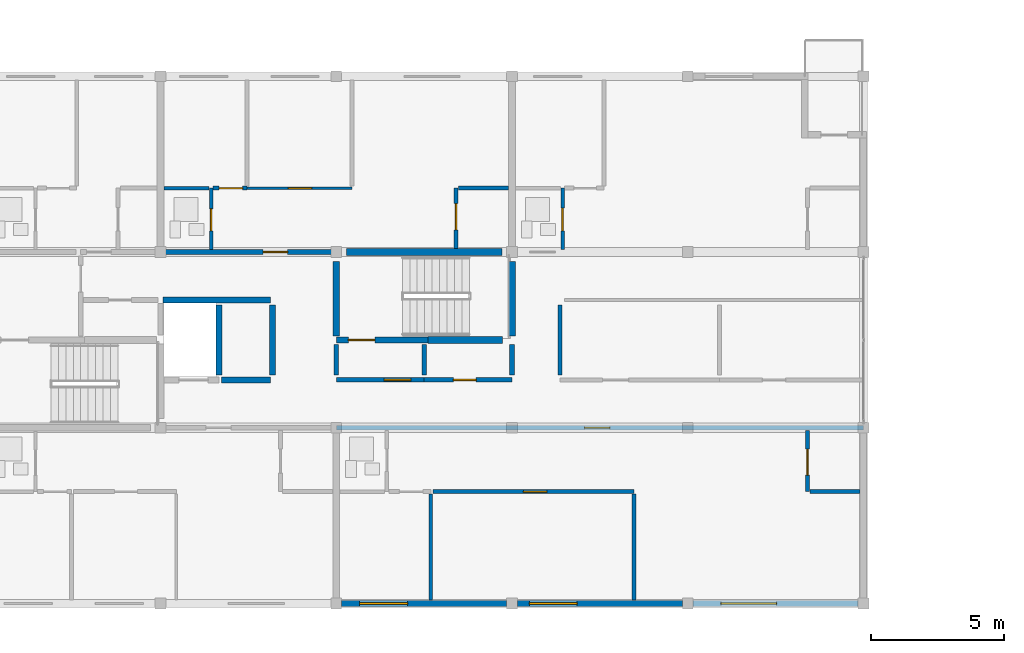
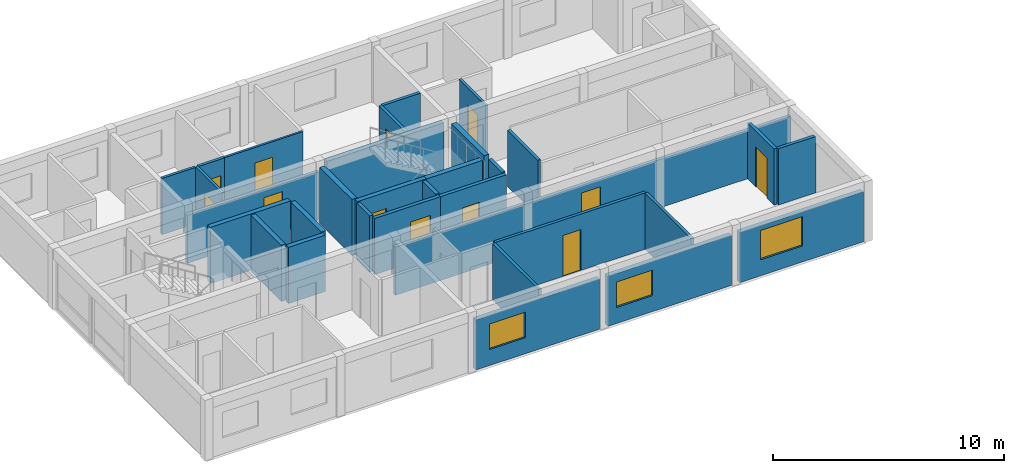
# One storey, part 14 of 23: 32 walls, 12 doors, 3 windows, 15 openings.
"""IFC4 building model written with IfcOpenShell, lengths in metres."""

import ifcopenshell
import ifcopenshell.guid

model = None  # the IFC model being written
_history = None  # IfcOwnerHistory: only IFC2X3 demands one
_inside = {}  # id of a spatial element -> (the spatial element, [elements in it])
_under = {}  # id of a project, library or spatial element -> (it, [spatial elements below it])
_declared = {}  # id of a project -> (the project, [libraries it declares])
_typed = {}  # id of a type object -> (the type object, [elements of that type])
_made_of = {}  # id of a material, layer set ... -> (it, [elements and type objects made of it])


def new_model(schema):
    """Start an empty IFC model of exactly this schema.

    Asked for "IFC4X3", IfcOpenShell would pick the latest addendum, in which some entities
    have other attributes; the version numbers below select the first issue.
    IFC2X3 requires an IfcOwnerHistory on every rooted entity: one is made here for all.
    """
    global model, _history
    if schema == "IFC4X3":
        model = ifcopenshell.file(schema_version=(4, 3, 0, 0))
    else:
        model = ifcopenshell.file(schema=schema)
    _inside.clear()
    _under.clear()
    _declared.clear()
    _typed.clear()
    _made_of.clear()
    _history = None
    if model.schema == "IFC2X3":
        org = make("IfcOrganization", Name="unknown")
        user = make(
            "IfcPersonAndOrganization",
            ThePerson=make("IfcPerson", FamilyName="unknown"),
            TheOrganization=org,
        )
        app = make(
            "IfcApplication",
            ApplicationDeveloper=org,
            Version="unknown",
            ApplicationFullName="unknown",
            ApplicationIdentifier="unknown",
        )
        _history = make(
            "IfcOwnerHistory",
            OwningUser=user,
            OwningApplication=app,
            ChangeAction="ADDED",
            CreationDate=0,
        )
    return model


def make(cls, **values):
    """One entity of the class cls with the attributes given. An attribute that is None is left unset."""
    return model.create_entity(
        cls, **{name: value for name, value in values.items() if value is not None}
    )


def rooted(cls, **values):
    """An entity with a GlobalId (a new one), such as an element, a storey or a relation."""
    return make(cls, GlobalId=ifcopenshell.guid.new(), OwnerHistory=_history, **values)


def si_unit(unit_type, name, prefix=None):
    """IfcSIUnit, for example si_unit("LENGTHUNIT", "METRE", prefix="MILLI")."""
    return make("IfcSIUnit", UnitType=unit_type, Prefix=prefix, Name=name)


def assignment(units):
    """IfcUnitAssignment: the units of a project."""
    return None if units is None else make("IfcUnitAssignment", Units=units)


def point(xyz):
    """IfcCartesianPoint."""
    return None if xyz is None else make("IfcCartesianPoint", Coordinates=xyz)


def direction(xyz):
    """IfcDirection."""
    return None if xyz is None else make("IfcDirection", DirectionRatios=xyz)


def frame(location, z_axis=None, x_axis=None):
    """IfcAxis2Placement3D, a coordinate frame: its origin and axes. An axis left out is left unset."""
    return make(
        "IfcAxis2Placement3D",
        Location=point(location),
        Axis=direction(z_axis),
        RefDirection=direction(x_axis),
    )


def frame_2d(location, x_axis=None):
    """IfcAxis2Placement2D, a coordinate frame in the plane: its origin and x axis."""
    return make(
        "IfcAxis2Placement2D", Location=point(location), RefDirection=direction(x_axis)
    )


def origin():
    """The frame at (0, 0, 0) with its axes left unset."""
    return frame((0.0, 0.0, 0.0))


def place(relative_to, where):
    """IfcLocalPlacement: puts the frame where relative to a parent placement (None: the world)."""
    return make(
        "IfcLocalPlacement", PlacementRelTo=relative_to, RelativePlacement=where
    )


def context(
    kind, dimensions, precision=None, world=None, true_north=None, identifier=None
):
    """IfcGeometricRepresentationContext, for example the 3D "Model" context."""
    return make(
        "IfcGeometricRepresentationContext",
        ContextIdentifier=identifier,
        ContextType=kind,
        CoordinateSpaceDimension=dimensions,
        Precision=precision,
        WorldCoordinateSystem=world,
        TrueNorth=true_north,
    )


def subcontext(parent, identifier, kind, view, scale=None):
    """IfcGeometricRepresentationSubContext, for example "Body" below "Model"."""
    return make(
        "IfcGeometricRepresentationSubContext",
        ContextIdentifier=identifier,
        ContextType=kind,
        ParentContext=parent,
        TargetScale=scale,
        TargetView=view,
    )


def project(units=None, contexts=None):
    """IfcProject with its units and contexts."""
    return rooted(
        "IfcProject",
        Name="project",
        RepresentationContexts=contexts,
        UnitsInContext=assignment(units),
    )


def spatial(cls, under=None, at=None, **own):
    """A site, building, storey or space (cls), placed at a placement, below another one or the project."""
    s = rooted(cls, ObjectPlacement=at, **own)
    if under is not None:
        _under.setdefault(under.id(), (under, []))[1].append(s)
    return s


def profile(cls, at=None, kind="AREA", **sizes):
    """A parametric profile (cls). Its sizes go by their IFC names, for example OverallWidth=200.0."""
    return make(cls, ProfileType=kind, Position=at, **sizes)


def rectangle(**sizes):
    """IfcRectangleProfileDef."""
    return profile("IfcRectangleProfileDef", **sizes)


def extrude(swept, where, along, depth):
    """IfcExtrudedAreaSolid: the profile swept, set in the frame where, extruded along a direction by depth."""
    return make(
        "IfcExtrudedAreaSolid",
        SweptArea=swept,
        Position=where,
        ExtrudedDirection=direction(along),
        Depth=depth,
    )


def shape(context_of_items, identifier, shape_type, items):
    """IfcShapeRepresentation: the items that make up one representation, for example the "Body"."""
    return make(
        "IfcShapeRepresentation",
        ContextOfItems=context_of_items,
        RepresentationIdentifier=identifier,
        RepresentationType=shape_type,
        Items=items,
    )


def material(Name=None, Category=None):
    """IfcMaterial."""
    return make("IfcMaterial", Name=Name, Category=Category)


def layer(
    of_material, thickness, ventilated=None, Name=None, Category=None, Priority=None
):
    """IfcMaterialLayer: one layer of a wall or slab, of a material (None: an air gap)."""
    return make(
        "IfcMaterialLayer",
        Material=of_material,
        LayerThickness=thickness,
        IsVentilated=ventilated,
        Name=Name,
        Category=Category,
        Priority=Priority,
    )


def layer_set(layers, Name=None):
    """IfcMaterialLayerSet."""
    return make("IfcMaterialLayerSet", MaterialLayers=layers, LayerSetName=Name)


def made_of(thing, what):
    """Note that an element or type object is made of a material, layer set ...; save() writes the relation."""
    if what is not None:
        _made_of.setdefault(what.id(), (what, []))[1].append(thing)
    return thing


def type_object(cls, material=None, **own):
    """A type object (cls), such as IfcWallType, which elements share."""
    return made_of(rooted(cls, **own), material)


def element(
    cls,
    number,
    at=None,
    inside=None,
    cuts=None,
    type_object=None,
    material=None,
    context=None,
    identifier="Body",
    shape_type=None,
    held_by="IfcProductDefinitionShape",
    body=None,
    shapes=None,
    **own,
):
    """One element of the class cls, such as IfcWall. Its Tag is "e" and its number.

    at: its placement. inside: the storey or other place that contains it. cuts: it is an
    opening in that element (IfcRelVoidsElement). A single representation is given by context,
    identifier, shape_type and body (its items); several are given by shapes. held_by: the class
    of the entity that holds the representations. save() writes the other relations.
    """
    e = rooted(cls, Tag="e%d" % number, ObjectPlacement=at, **own)
    if body is not None:
        shapes = [shape(context, identifier, shape_type, body)]
    if shapes is not None:
        e.Representation = make(held_by, Representations=shapes)
    if inside is not None:
        _inside.setdefault(inside.id(), (inside, []))[1].append(e)
    if cuts is not None:
        rooted(
            "IfcRelVoidsElement", RelatingBuildingElement=cuts, RelatedOpeningElement=e
        )
    if type_object is not None:
        _typed.setdefault(type_object.id(), (type_object, []))[1].append(e)
    return made_of(e, material)


def fill(opening, filler):
    """IfcRelFillsElement: the door or window that sits in an opening."""
    return rooted(
        "IfcRelFillsElement",
        RelatingOpeningElement=opening,
        RelatedBuildingElement=filler,
    )


def aggregate(whole, parts):
    """IfcRelAggregates: a whole, such as a stair, and the parts it consists of."""
    return rooted("IfcRelAggregates", RelatingObject=whole, RelatedObjects=parts)


def save(model, path):
    """Write the relations noted so far, then the file.

    IfcRelAggregates (storeys below a building ...), IfcRelContainedInSpatialStructure (elements
    in a storey), IfcRelDefinesByType, IfcRelAssociatesMaterial and IfcRelDeclares: one each for
    every whole, place, type object, material and project.
    """
    for whole, parts in _under.values():
        aggregate(whole, parts)
    for where, things in _inside.values():
        rooted(
            "IfcRelContainedInSpatialStructure",
            RelatedElements=things,
            RelatingStructure=where,
        )
    for kind, things in _typed.values():
        rooted("IfcRelDefinesByType", RelatedObjects=things, RelatingType=kind)
    for what, things in _made_of.values():
        rooted("IfcRelAssociatesMaterial", RelatedObjects=things, RelatingMaterial=what)
    for by, libraries in _declared.values():
        rooted("IfcRelDeclares", RelatingContext=by, RelatedDefinitions=libraries)
    model.write(path)


model = new_model("IFC4")

# Units and contexts
model_context = context("Model", 3, precision=1e-05, world=origin(), true_north=direction((0.0, 1.0)))
body_context = subcontext(model_context, "Body", "Model", "MODEL_VIEW")
ifc_project = project(units=[si_unit("LENGTHUNIT", "METRE"), si_unit("AREAUNIT", "SQUARE_METRE"), si_unit("VOLUMEUNIT", "CUBIC_METRE"), si_unit("PLANEANGLEUNIT", "RADIAN"), si_unit("MASSUNIT", "GRAM", prefix="KILO")], contexts=[model_context])

# Site, building, storey
site_placement = place(None, origin())
site = spatial("IfcSite", under=ifc_project, at=site_placement, CompositionType="ELEMENT")
building_placement = place(site_placement, origin())
building = spatial("IfcBuilding", under=site, at=building_placement, Name="Kernevlak Ridge Housing Community", CompositionType="ELEMENT")
storey_placement = place(building_placement, frame((0.0, 0.0, 46.800048828125)))
storey = spatial("IfcBuildingStorey", under=building, at=storey_placement, Name="L14", CompositionType="ELEMENT", Elevation=46.800048828125)

# Wall, opening, window
ifc_material_1 = material(Name="Concrete block masonry M10", Category="masonry")
ifc_layer_1 = layer(ifc_material_1, 0.239990234375, Name="Concrete block masonry M10")
ifc_layer_set_1 = layer_set([ifc_layer_1], Name="Concrete block masonry M10")
wall_type_1 = type_object("IfcWallType", Name="EW-06", PredefinedType="STANDARD", material=ifc_layer_set_1)
wall_1_placement = place(storey_placement, frame((29.0, 76.0, 0.0), z_axis=(0.0, 0.0, 1.0), x_axis=(1.0, 0.0, 0.0)))
wall_1 = element("IfcWall", 1, at=wall_1_placement, inside=storey, type_object=wall_type_1, Name="Exterior wall EW-06 L14 223", PredefinedType="STANDARD", context=body_context, shape_type="SweptSolid", body=[
    extrude(rectangle(XDim=6.199951171875, YDim=0.239990234375, at=frame_2d((3.10009765625, 0.0))), origin(), (0.0, 0.0, 1.0), 2.64990234375),
])
opening_1_placement = place(wall_1_placement, frame((0.675048828125, 0.0, 0.85009765625)))
opening_1 = element("IfcOpeningElement", 2, at=opening_1_placement, cuts=wall_1, Name="Opening WT-03", PredefinedType="OPENING", context=body_context, shape_type="SweptSolid", body=[
    extrude(rectangle(XDim=1.800048828125, YDim=1.35009765625, at=frame_2d((0.89990234375, 0.675048828125))), frame((0.0, 0.1298828125, 0.0), z_axis=(0.0, -1.0, 0.0), x_axis=(1.0, 0.0, 0.0)), (0.0, 0.0, 1.0), 0.260009765625),
])
ifc_material_2 = material(Name="Aluminium EN AW-6060 anodised and laminated glass", Category="aluminium")
window_type_1 = type_object("IfcWindowType", Name="WT-03", PartitioningType="SINGLE_PANEL", PredefinedType="WINDOW", material=ifc_material_2)
window_1_placement = place(opening_1_placement, origin())
window_1 = element("IfcWindow", 3, at=window_1_placement, inside=storey, type_object=window_type_1, Name="Window WT-03 L14 177", OverallHeight=1.35009765625, OverallWidth=1.800048828125, PartitioningType="SINGLE_PANEL", PredefinedType="WINDOW", context=body_context, shape_type="SweptSolid", body=[
    extrude(rectangle(XDim=1.800048828125, YDim=1.35009765625, at=frame_2d((0.89990234375, 0.675048828125))), frame((0.0, 0.030029296875, 0.0), z_axis=(0.0, -1.0, 0.0), x_axis=(1.0, 0.0, 0.0)), (0.0, 0.0, 1.0), 0.06005859375),
])
fill(opening_1, window_1)

wall_2_placement = place(storey_placement, frame((35.60009765625, 76.0, 0.0), z_axis=(0.0, 0.0, 1.0), x_axis=(1.0, 0.0, 0.0)))
wall_2 = element("IfcWall", 4, at=wall_2_placement, inside=storey, type_object=wall_type_1, Name="Exterior wall EW-06 L14 224", PredefinedType="STANDARD", context=body_context, shape_type="SweptSolid", body=[
    extrude(rectangle(XDim=6.199951171875, YDim=0.239990234375, at=frame_2d((3.10009765625, 0.0))), origin(), (0.0, 0.0, 1.0), 2.64990234375),
])
opening_2_placement = place(wall_2_placement, frame((0.449951171875, 0.0, 0.85009765625)))
opening_2 = element("IfcOpeningElement", 5, at=opening_2_placement, cuts=wall_2, Name="Opening WT-03", PredefinedType="OPENING", context=body_context, shape_type="SweptSolid", body=[
    extrude(rectangle(XDim=1.800048828125, YDim=1.35009765625, at=frame_2d((0.89990234375, 0.675048828125))), frame((0.0, 0.1298828125, 0.0), z_axis=(0.0, -1.0, 0.0), x_axis=(1.0, 0.0, 0.0)), (0.0, 0.0, 1.0), 0.260009765625),
])
window_2_placement = place(opening_2_placement, origin())
window_2 = element("IfcWindow", 6, at=window_2_placement, inside=storey, type_object=window_type_1, Name="Window WT-03 L14 178", OverallHeight=1.35009765625, OverallWidth=1.800048828125, PartitioningType="SINGLE_PANEL", PredefinedType="WINDOW", context=body_context, shape_type="SweptSolid", body=[
    extrude(rectangle(XDim=1.800048828125, YDim=1.35009765625, at=frame_2d((0.89990234375, 0.675048828125))), frame((0.0, 0.030029296875, 0.0), z_axis=(0.0, -1.0, 0.0), x_axis=(1.0, 0.0, 0.0)), (0.0, 0.0, 1.0), 0.06005859375),
])
fill(opening_2, window_2)

wall_3_placement = place(storey_placement, frame((42.199951171875, 76.0, 0.0), z_axis=(0.0, 0.0, 1.0), x_axis=(1.0, 0.0, 0.0)))
wall_3 = element("IfcWall", 7, at=wall_3_placement, inside=storey, type_object=wall_type_1, Name="Exterior wall EW-06 L14 225", PredefinedType="STANDARD", context=body_context, shape_type="SweptSolid", body=[
    extrude(rectangle(XDim=6.199951171875, YDim=0.239990234375, at=frame_2d((3.10009765625, 0.0))), origin(), (0.0, 0.0, 1.0), 2.64990234375),
])
opening_3_placement = place(wall_3_placement, frame((1.0439453125, 0.0, 0.85009765625)))
opening_3 = element("IfcOpeningElement", 8, at=opening_3_placement, cuts=wall_3, Name="Opening WT-05", PredefinedType="OPENING", context=body_context, shape_type="SweptSolid", body=[
    extrude(rectangle(XDim=2.10009765625, YDim=1.550048828125, at=frame_2d((1.050048828125, 0.77490234375))), frame((0.0, 0.1298828125, 0.0), z_axis=(0.0, -1.0, 0.0), x_axis=(1.0, 0.0, 0.0)), (0.0, 0.0, 1.0), 0.260009765625),
])
window_type_2 = type_object("IfcWindowType", Name="WT-05", PartitioningType="SINGLE_PANEL", PredefinedType="WINDOW", material=ifc_material_2)
window_3_placement = place(opening_3_placement, origin())
window_3 = element("IfcWindow", 9, at=window_3_placement, inside=storey, type_object=window_type_2, Name="Window WT-05 L14 179", OverallHeight=1.550048828125, OverallWidth=2.10009765625, PartitioningType="SINGLE_PANEL", PredefinedType="WINDOW", context=body_context, shape_type="SweptSolid", body=[
    extrude(rectangle(XDim=2.10009765625, YDim=1.550048828125, at=frame_2d((1.050048828125, 0.77490234375))), frame((0.0, 0.030029296875, 0.0), z_axis=(0.0, -1.0, 0.0), x_axis=(1.0, 0.0, 0.0)), (0.0, 0.0, 1.0), 0.06005859375),
])
fill(opening_3, window_3)

# Walls
ifc_material_3 = material(Name="Concrete C35/45", Category="concrete")
ifc_layer_2 = layer(ifc_material_3, 0.22509765625, Name="Concrete C35/45")
ifc_layer_set_2 = layer_set([ifc_layer_2], Name="Concrete C35/45")
wall_type_2 = type_object("IfcWallType", Name="PW-01", PredefinedType="STANDARD", material=ifc_layer_set_2)
wall_4_placement = place(storey_placement, frame((24.47998046875, 84.39990234375, 0.0), z_axis=(0.0, 0.0, 1.0), x_axis=(1.0, 0.0, 0.0)))
element("IfcWall", 10, at=wall_4_placement, inside=storey, type_object=wall_type_2, Name="Interior wall PW-01 WAL-INT-L14-0887", PredefinedType="STANDARD", context=body_context, shape_type="SweptSolid", body=[
    extrude(rectangle(XDim=1.840087890625, YDim=0.22509765625, at=frame_2d((0.919921875, 0.0))), origin(), (0.0, 0.0, 1.0), 2.97998046875),
])
wall_5_placement = place(storey_placement, frame((22.297607421875, 87.39990234375, 0.0), z_axis=(0.0, 0.0, 1.0), x_axis=(1.0, 0.0, 0.0)))
element("IfcWall", 11, at=wall_5_placement, inside=storey, type_object=wall_type_2, Name="Interior wall PW-01 WAL-INT-L14-0888", PredefinedType="STANDARD", context=body_context, shape_type="SweptSolid", body=[
    extrude(rectangle(XDim=4.0224609375, YDim=0.22509765625, at=frame_2d((2.01123046875, 0.0))), origin(), (0.0, 0.0, 1.0), 2.97998046875),
])
for number, where, z_axis, x_axis, name in (
    (12, (24.39990234375, 84.580078125, 0.0), (0.0, 0.0, 1.0), (0.0, 1.0, 0.0), "Interior wall PW-01 WAL-INT-L14-0890"),
    (13, (26.39990234375, 84.580078125, 0.0), (0.0, 0.0, 1.0), (0.0, 1.0, 0.0), "Interior wall PW-01 WAL-INT-L14-0891"),
):
    element("IfcWall", number, at=place(storey_placement, frame(where, z_axis=z_axis, x_axis=x_axis)), inside=storey, type_object=wall_type_2, Name=name, PredefinedType="STANDARD", context=body_context, shape_type="SweptSolid", body=[
        extrude(rectangle(XDim=2.639892578125, YDim=0.22509765625, at=frame_2d((1.31982421875, 0.0))), origin(), (0.0, 0.0, 1.0), 2.97998046875),
    ])

# Wall, opening, door
wall_6_placement = place(storey_placement, frame((28.800048828125, 85.89990234375, 0.0), z_axis=(0.0, 0.0, 1.0), x_axis=(1.0, 0.0, 0.0)))
wall_6 = element("IfcWall", 14, at=wall_6_placement, inside=storey, type_object=wall_type_2, Name="Interior wall PW-01 WAL-INT-L14-0892", PredefinedType="STANDARD", context=body_context, shape_type="SweptSolid", body=[
    extrude(rectangle(XDim=3.449951171875, YDim=0.22509765625, at=frame_2d((1.72509765625, 0.0))), origin(), (0.0, 0.0, 1.0), 2.97998046875),
])
opening_4_placement = place(wall_6_placement, frame((0.449951171875, 0.0, 0.0)))
opening_4 = element("IfcOpeningElement", 15, at=opening_4_placement, cuts=wall_6, Name="Opening D450", PredefinedType="OPENING", context=body_context, shape_type="SweptSolid", body=[
    extrude(rectangle(XDim=1.0, YDim=2.10009765625, at=frame_2d((0.5, 1.050048828125))), frame((0.0, 0.12255859375, 0.0), z_axis=(0.0, -1.0, 0.0), x_axis=(1.0, 0.0, 0.0)), (0.0, 0.0, 1.0), 0.2451171875),
])
ifc_material_4 = material(Name="Fire-rated sheet steel leaf", Category="steel")
door_type_1 = type_object("IfcDoorType", Name="DT-05", OperationType="NOTDEFINED", PredefinedType="DOOR", material=ifc_material_4)
door_1_placement = place(opening_4_placement, origin())
door_1 = element("IfcDoor", 16, at=door_1_placement, inside=storey, type_object=door_type_1, Name="Block A Stair 2 fire door D450", OperationType="SINGLE_SWING_RIGHT", OverallHeight=2.10009765625, OverallWidth=1.0, PredefinedType="DOOR", context=body_context, shape_type="SweptSolid", body=[
    extrude(rectangle(XDim=1.0, YDim=2.10009765625, at=frame_2d((0.5, 1.050048828125))), frame((0.0, 0.02490234375, 0.0), z_axis=(0.0, -1.0, 0.0), x_axis=(1.0, 0.0, 0.0)), (0.0, 0.0, 1.0), 0.050048828125),
])
fill(opening_4, door_1)

ifc_layer_3 = layer(ifc_material_1, 0.175048828125, Name="Concrete block masonry M10")
ifc_layer_set_3 = layer_set([ifc_layer_3], Name="Concrete block masonry M10")
wall_type_3 = type_object("IfcWallType", Name="PW-02", PredefinedType="PARTITIONING", material=ifc_layer_set_3)
wall_7_placement = place(storey_placement, frame((28.800048828125, 84.39990234375, 0.0), z_axis=(0.0, 0.0, 1.0), x_axis=(1.0, 0.0, 0.0)))
wall_7 = element("IfcWall", 17, at=wall_7_placement, inside=storey, type_object=wall_type_3, Name="Interior wall PW-02 WAL-INT-L14-0893", PredefinedType="PARTITIONING", context=body_context, shape_type="SweptSolid", body=[
    extrude(rectangle(XDim=3.300048828125, YDim=0.175048828125, at=frame_2d((1.64990234375, 0.0))), origin(), (0.0, 0.0, 1.0), 2.97998046875),
])
opening_5_placement = place(wall_7_placement, frame((1.800048828125, 0.0, 0.0)))
opening_5 = element("IfcOpeningElement", 18, at=opening_5_placement, cuts=wall_7, Name="Opening D451", PredefinedType="OPENING", context=body_context, shape_type="SweptSolid", body=[
    extrude(rectangle(XDim=1.0, YDim=2.159912109375, at=frame_2d((0.5, 1.080078125))), frame((0.0, 0.097412109375, 0.0), z_axis=(0.0, -1.0, 0.0), x_axis=(1.0, 0.0, 0.0)), (0.0, 0.0, 1.0), 0.195068359375),
])
door_type_2 = type_object("IfcDoorType", Name="DT-15", OperationType="NOTDEFINED", PredefinedType="DOOR", material=ifc_material_4)
door_2_placement = place(opening_5_placement, origin())
door_2 = element("IfcDoor", 19, at=door_2_placement, inside=storey, type_object=door_type_2, Name="Block A Firefighting lobby 2 door D451", OperationType="SINGLE_SWING_LEFT", OverallHeight=2.159912109375, OverallWidth=1.0, PredefinedType="DOOR", context=body_context, shape_type="SweptSolid", body=[
    extrude(rectangle(XDim=1.0, YDim=2.159912109375, at=frame_2d((0.5, 1.080078125))), frame((0.0, 0.02490234375, 0.0), z_axis=(0.0, -1.0, 0.0), x_axis=(1.0, 0.0, 0.0)), (0.0, 0.0, 1.0), 0.050048828125),
])
fill(opening_5, door_2)

wall_8_placement = place(storey_placement, frame((32.10009765625, 84.39990234375, 0.0), z_axis=(0.0, 0.0, 1.0), x_axis=(1.0, 0.0, 0.0)))
wall_8 = element("IfcWall", 20, at=wall_8_placement, inside=storey, type_object=wall_type_3, Name="Interior wall PW-02 WAL-INT-L14-0894", PredefinedType="PARTITIONING", context=body_context, shape_type="SweptSolid", body=[
    extrude(rectangle(XDim=3.2998046875, YDim=0.175048828125, at=frame_2d((1.64990234375, 0.0))), origin(), (0.0, 0.0, 1.0), 2.97998046875),
])
opening_6_placement = place(wall_8_placement, frame((1.10009765625, 0.0, 0.0)))
opening_6 = element("IfcOpeningElement", 21, at=opening_6_placement, cuts=wall_8, Name="Opening D452", PredefinedType="OPENING", context=body_context, shape_type="SweptSolid", body=[
    extrude(rectangle(XDim=0.85009765625, YDim=2.0, at=frame_2d((0.425048828125, 1.0))), frame((0.0, 0.097412109375, 0.0), z_axis=(0.0, -1.0, 0.0), x_axis=(1.0, 0.0, 0.0)), (0.0, 0.0, 1.0), 0.195068359375),
])
door_type_3 = type_object("IfcDoorType", Name="DT-07", OperationType="NOTDEFINED", PredefinedType="DOOR", material=ifc_material_4)
door_3_placement = place(opening_6_placement, origin())
door_3 = element("IfcDoor", 22, at=door_3_placement, inside=storey, type_object=door_type_3, Name="Block A Cleaner store door D452", OperationType="SINGLE_SWING_RIGHT", OverallHeight=2.0, OverallWidth=0.85009765625, PredefinedType="DOOR", context=body_context, shape_type="SweptSolid", body=[
    extrude(rectangle(XDim=0.85009765625, YDim=2.0, at=frame_2d((0.425048828125, 1.0))), frame((0.0, 0.02490234375, 0.0), z_axis=(0.0, -1.0, 0.0), x_axis=(1.0, 0.0, 0.0)), (0.0, 0.0, 1.0), 0.050048828125),
])
fill(opening_6, door_3)

# Walls
for number, where, z_axis, x_axis, name in (
    (23, (28.800048828125, 84.580078125, 0.0), (0.0, 0.0, 1.0), (0.0, 1.0, 0.0), "Interior wall PW-02 WAL-INT-L14-0895"),
    (24, (32.10009765625, 84.580078125, 0.0), (0.0, 0.0, 1.0), (0.0, 1.0, 0.0), "Interior wall PW-02 WAL-INT-L14-0896"),
    (25, (35.39990234375, 84.580078125, 0.0), (0.0, 0.0, 1.0), (0.0, 1.0, 0.0), "Interior wall PW-02 WAL-INT-L14-0897"),
):
    element("IfcWall", number, at=place(storey_placement, frame(where, z_axis=z_axis, x_axis=x_axis)), inside=storey, type_object=wall_type_3, Name=name, PredefinedType="PARTITIONING", context=body_context, shape_type="SweptSolid", body=[
        extrude(rectangle(XDim=1.139892578125, YDim=0.175048828125, at=frame_2d((0.56982421875, 0.0))), origin(), (0.0, 0.0, 1.0), 2.97998046875),
    ])

# Wall, opening, door
wall_9_placement = place(storey_placement, frame((28.800048828125, 82.60009765625, 0.0), z_axis=(0.0, 0.0, 1.0), x_axis=(1.0, 0.0, 0.0)))
wall_9 = element("IfcWall", 26, at=wall_9_placement, inside=storey, type_object=wall_type_3, Name="Interior wall PW-02 WAL-INT-L14-0912", PredefinedType="PARTITIONING", context=body_context, shape_type="SweptSolid", body=[
    extrude(rectangle(XDim=19.800048828125, YDim=0.175048828125, at=frame_2d((9.89990234375, 0.0))), origin(), (0.0, 0.0, 1.0), 2.550048828125),
])
opening_7_placement = place(wall_9_placement, frame((9.324951171875, 0.0, 0.0)))
opening_7 = element("IfcOpeningElement", 27, at=opening_7_placement, cuts=wall_9, Name="Opening D460", PredefinedType="OPENING", context=body_context, shape_type="SweptSolid", body=[
    extrude(rectangle(XDim=0.949951171875, YDim=2.159912109375, at=frame_2d((0.47509765625, 1.080078125))), frame((0.0, 0.097412109375, 0.0), z_axis=(0.0, -1.0, 0.0), x_axis=(1.0, 0.0, 0.0)), (0.0, 0.0, 1.0), 0.195068359375),
])
ifc_material_5 = material(Name="Hardwood timber solid-core fire leaf", Category="wood")
door_type_4 = type_object("IfcDoorType", Name="DT-02", OperationType="NOTDEFINED", PredefinedType="DOOR", material=ifc_material_5)
door_4_placement = place(opening_7_placement, origin())
door_4 = element("IfcDoor", 28, at=door_4_placement, inside=storey, type_object=door_type_4, Name="Flat A1412 entrance fire door D460", OperationType="SINGLE_SWING_RIGHT", OverallHeight=2.159912109375, OverallWidth=0.949951171875, PredefinedType="DOOR", context=body_context, shape_type="SweptSolid", body=[
    extrude(rectangle(XDim=0.949951171875, YDim=2.159912109375, at=frame_2d((0.47509765625, 1.080078125))), frame((0.0, 0.02490234375, 0.0), z_axis=(0.0, -1.0, 0.0), x_axis=(1.0, 0.0, 0.0)), (0.0, 0.0, 1.0), 0.050048828125),
])
fill(opening_7, door_4)

wall_10_placement = place(storey_placement, frame((22.199951171875, 89.199951171875, 0.0), z_axis=(0.0, 0.0, 1.0), x_axis=(1.0, 0.0, 0.0)))
wall_10 = element("IfcWall", 29, at=wall_10_placement, inside=storey, type_object=wall_type_3, Name="Interior wall PW-02 WAL-INT-L14-0929", PredefinedType="PARTITIONING", context=body_context, shape_type="SweptSolid", body=[
    extrude(rectangle(XDim=6.60009765625, YDim=0.175048828125, at=frame_2d((3.300048828125, 0.0))), origin(), (0.0, 0.0, 1.0), 2.550048828125),
])
opening_8_placement = place(wall_10_placement, frame((3.85009765625, 0.0, 0.0)))
opening_8 = element("IfcOpeningElement", 30, at=opening_8_placement, cuts=wall_10, Name="Opening D469", PredefinedType="OPENING", context=body_context, shape_type="SweptSolid", body=[
    extrude(rectangle(XDim=0.919921875, YDim=2.139892578125, at=frame_2d((0.4599609375, 1.06982421875))), frame((0.0, 0.097412109375, 0.0), z_axis=(0.0, -1.0, 0.0), x_axis=(1.0, 0.0, 0.0)), (0.0, 0.0, 1.0), 0.195068359375),
])
door_type_5 = type_object("IfcDoorType", Name="DT-20", OperationType="NOTDEFINED", PredefinedType="DOOR", material=ifc_material_5)
door_5_placement = place(opening_8_placement, origin())
door_5 = element("IfcDoor", 31, at=door_5_placement, inside=storey, type_object=door_type_5, Name="Flat A1422 entrance fire door D469", OperationType="SINGLE_SWING_LEFT", OverallHeight=2.139892578125, OverallWidth=0.919921875, PredefinedType="DOOR", context=body_context, shape_type="SweptSolid", body=[
    extrude(rectangle(XDim=0.919921875, YDim=2.139892578125, at=frame_2d((0.4599609375, 1.06982421875))), frame((0.0, 0.02490234375, 0.0), z_axis=(0.0, -1.0, 0.0), x_axis=(1.0, 0.0, 0.0)), (0.0, 0.0, 1.0), 0.050048828125),
])
fill(opening_8, door_5)

# Walls
ifc_layer_4 = layer(ifc_material_1, 0.14501953125, Name="Concrete block masonry M10")
ifc_layer_set_4 = layer_set([ifc_layer_4], Name="Concrete block masonry M10")
wall_type_4 = type_object("IfcWallType", Name="PW-03", PredefinedType="PARTITIONING", material=ifc_layer_set_4)
wall_11_placement = place(storey_placement, frame((37.199951171875, 84.580078125, 0.0), z_axis=(0.0, 0.0, 1.0), x_axis=(0.0, 1.0, 0.0)))
element("IfcWall", 32, at=wall_11_placement, inside=storey, type_object=wall_type_4, Name="Interior wall PW-03 WAL-INT-L14-0902", PredefinedType="PARTITIONING", context=body_context, shape_type="SweptSolid", body=[
    extrude(rectangle(XDim=2.639892578125, YDim=0.14501953125, at=frame_2d((1.31982421875, 0.0))), origin(), (0.0, 0.0, 1.0), 2.97998046875),
])
wall_12_placement = place(storey_placement, frame((32.35009765625, 80.117431640625, 0.0), z_axis=(0.0, 0.0, 1.0), x_axis=(0.0, -1.0, 0.0)))
element("IfcWall", 33, at=wall_12_placement, inside=storey, type_object=wall_type_4, Name="Interior wall PW-03 WAL-INT-L14-0918", PredefinedType="PARTITIONING", context=body_context, shape_type="SweptSolid", body=[
    extrude(rectangle(XDim=3.987548828125, YDim=0.14501953125, at=frame_2d((1.99365234375, 0.0))), origin(), (0.0, 0.0, 1.0), 2.97998046875),
])

# Wall, opening, door
wall_13_placement = place(storey_placement, frame((32.4326171875, 80.199951171875, 0.0), z_axis=(0.0, 0.0, 1.0), x_axis=(1.0, 0.0, 0.0)))
wall_13 = element("IfcWall", 34, at=wall_13_placement, inside=storey, type_object=wall_type_4, Name="Interior wall PW-03 WAL-INT-L14-0919", PredefinedType="PARTITIONING", context=body_context, shape_type="SweptSolid", body=[
    extrude(rectangle(XDim=7.555419921875, YDim=0.14501953125, at=frame_2d((3.77783203125, 0.0))), origin(), (0.0, 0.0, 1.0), 2.97998046875),
])
opening_9_placement = place(wall_13_placement, frame((3.39404296875, 0.0, 0.0)))
opening_9 = element("IfcOpeningElement", 35, at=opening_9_placement, cuts=wall_13, Name="Opening D464", PredefinedType="OPENING", context=body_context, shape_type="SweptSolid", body=[
    extrude(rectangle(XDim=0.8798828125, YDim=2.159912109375, at=frame_2d((0.43994140625, 1.080078125))), frame((0.0, 0.08251953125, 0.0), z_axis=(0.0, -1.0, 0.0), x_axis=(1.0, 0.0, 0.0)), (0.0, 0.0, 1.0), 0.1650390625),
])
ifc_material_6 = material(Name="Hardwood timber leaf", Category="wood")
door_type_6 = type_object("IfcDoorType", Name="DT-26", OperationType="NOTDEFINED", PredefinedType="DOOR", material=ifc_material_6)
door_6_placement = place(opening_9_placement, origin())
door_6 = element("IfcDoor", 36, at=door_6_placement, inside=storey, type_object=door_type_6, Name="Flat A1412 bedroom door D464", OperationType="SINGLE_SWING_RIGHT", OverallHeight=2.159912109375, OverallWidth=0.8798828125, PredefinedType="DOOR", context=body_context, shape_type="SweptSolid", body=[
    extrude(rectangle(XDim=0.8798828125, YDim=2.159912109375, at=frame_2d((0.43994140625, 1.080078125))), frame((0.0, 0.02490234375, 0.0), z_axis=(0.0, -1.0, 0.0), x_axis=(1.0, 0.0, 0.0)), (0.0, 0.0, 1.0), 0.050048828125),
])
fill(opening_9, door_6)

# Wall
wall_14_placement = place(storey_placement, frame((39.988037109375, 80.117431640625, 0.0), z_axis=(0.0, 0.0, 1.0), x_axis=(0.0, -1.0, 0.0)))
element("IfcWall", 37, at=wall_14_placement, inside=storey, type_object=wall_type_4, Name="Interior wall PW-03 WAL-INT-L14-0920", PredefinedType="PARTITIONING", context=body_context, shape_type="SweptSolid", body=[
    extrude(rectangle(XDim=3.987548828125, YDim=0.14501953125, at=frame_2d((1.99365234375, 0.0))), origin(), (0.0, 0.0, 1.0), 2.97998046875),
])

# Wall, opening, door
wall_15_placement = place(storey_placement, frame((24.172607421875, 91.60009765625, 0.0), z_axis=(0.0, 0.0, 1.0), x_axis=(1.0, 0.0, 0.0)))
wall_15 = element("IfcWall", 38, at=wall_15_placement, inside=storey, type_object=wall_type_4, Name="Interior wall PW-03 WAL-INT-L14-0934", PredefinedType="PARTITIONING", context=body_context, shape_type="SweptSolid", body=[
    extrude(rectangle(XDim=1.27734375, YDim=0.14501953125, at=frame_2d((0.638671875, 0.0))), origin(), (0.0, 0.0, 1.0), 2.97998046875),
])
opening_10_placement = place(wall_15_placement, frame((0.2275390625, 0.0, 0.0)))
opening_10 = element("IfcOpeningElement", 39, at=opening_10_placement, cuts=wall_15, Name="Opening D472", PredefinedType="OPENING", context=body_context, shape_type="SweptSolid", body=[
    extrude(rectangle(XDim=0.8798828125, YDim=2.10009765625, at=frame_2d((0.43994140625, 1.050048828125))), frame((0.0, 0.08251953125, 0.0), z_axis=(0.0, -1.0, 0.0), x_axis=(1.0, 0.0, 0.0)), (0.0, 0.0, 1.0), 0.1650390625),
])
door_type_7 = type_object("IfcDoorType", Name="DT-25", OperationType="NOTDEFINED", PredefinedType="DOOR", material=ifc_material_6)
door_7_placement = place(opening_10_placement, origin())
door_7 = element("IfcDoor", 40, at=door_7_placement, inside=storey, type_object=door_type_7, Name="Flat A1422 bedroom door D472", OperationType="SINGLE_SWING_RIGHT", OverallHeight=2.10009765625, OverallWidth=0.8798828125, PredefinedType="DOOR", context=body_context, shape_type="SweptSolid", body=[
    extrude(rectangle(XDim=0.8798828125, YDim=2.10009765625, at=frame_2d((0.43994140625, 1.050048828125))), frame((0.0, 0.02490234375, 0.0), z_axis=(0.0, -1.0, 0.0), x_axis=(1.0, 0.0, 0.0)), (0.0, 0.0, 1.0), 0.050048828125),
])
fill(opening_10, door_7)

ifc_material_7 = material(Name="Gypsum plasterboard EN 520", Category="gypsum")
ifc_layer_5 = layer(ifc_material_7, 0.125, Name="Gypsum plasterboard EN 520")
ifc_layer_set_5 = layer_set([ifc_layer_5], Name="Gypsum plasterboard EN 520")
wall_type_5 = type_object("IfcWallType", Name="PW-04", PredefinedType="PARTITIONING", material=ifc_layer_set_5)
wall_16_placement = place(storey_placement, frame((24.10009765625, 89.297607421875, 0.0), z_axis=(0.0, 0.0, 1.0), x_axis=(0.0, 1.0, 0.0)))
wall_16 = element("IfcWall", 41, at=wall_16_placement, inside=storey, type_object=wall_type_5, Name="Interior wall PW-04 WAL-INT-L14-0930", PredefinedType="PARTITIONING", context=body_context, shape_type="SweptSolid", body=[
    extrude(rectangle(XDim=2.302490234375, YDim=0.125, at=frame_2d((1.1513671875, 0.0))), origin(), (0.0, 0.0, 1.0), 2.97998046875),
])
opening_11_placement = place(wall_16_placement, frame((0.699951171875, 0.0, 0.0)))
opening_11 = element("IfcOpeningElement", 42, at=opening_11_placement, cuts=wall_16, Name="Opening D470", PredefinedType="OPENING", context=body_context, shape_type="SweptSolid", body=[
    extrude(rectangle(XDim=0.820068359375, YDim=2.050048828125, at=frame_2d((0.41015625, 1.02490234375))), frame((0.0, 0.072509765625, 0.0), z_axis=(0.0, -1.0, 0.0), x_axis=(1.0, 0.0, 0.0)), (0.0, 0.0, 1.0), 0.14501953125),
])
ifc_material_8 = material(Name="Hardwood timber moisture-resistant leaf", Category="wood")
door_type_8 = type_object("IfcDoorType", Name="DT-30", OperationType="NOTDEFINED", PredefinedType="DOOR", material=ifc_material_8)
door_8_placement = place(opening_11_placement, origin())
door_8 = element("IfcDoor", 43, at=door_8_placement, inside=storey, type_object=door_type_8, Name="Flat A1422 bathroom door D470", OperationType="SINGLE_SWING_RIGHT", OverallHeight=2.050048828125, OverallWidth=0.820068359375, PredefinedType="DOOR", context=body_context, shape_type="SweptSolid", body=[
    extrude(rectangle(XDim=0.820068359375, YDim=2.050048828125, at=frame_2d((0.41015625, 1.02490234375))), frame((0.0, 0.02490234375, 0.0), z_axis=(0.0, -1.0, 0.0), x_axis=(1.0, 0.0, 0.0)), (0.0, 0.0, 1.0), 0.050048828125),
])
fill(opening_11, door_8)

# Wall
wall_17_placement = place(storey_placement, frame((22.3349609375, 91.60009765625, 0.0), z_axis=(0.0, 0.0, 1.0), x_axis=(1.0, 0.0, 0.0)))
element("IfcWall", 44, at=wall_17_placement, inside=storey, type_object=wall_type_5, Name="Interior wall PW-04 WAL-INT-L14-0931", PredefinedType="PARTITIONING", context=body_context, shape_type="SweptSolid", body=[
    extrude(rectangle(XDim=1.68505859375, YDim=0.125, at=frame_2d((0.842529296875, 0.0))), origin(), (0.0, 0.0, 1.0), 2.97998046875),
])

# Wall, opening, door
wall_18_placement = place(storey_placement, frame((37.300048828125, 89.297607421875, 0.0), z_axis=(0.0, 0.0, 1.0), x_axis=(0.0, 1.0, 0.0)))
wall_18 = element("IfcWall", 45, at=wall_18_placement, inside=storey, type_object=wall_type_5, Name="Interior wall PW-04 WAL-INT-L14-0939", PredefinedType="PARTITIONING", context=body_context, shape_type="SweptSolid", body=[
    extrude(rectangle(XDim=2.302490234375, YDim=0.125, at=frame_2d((1.1513671875, 0.0))), origin(), (0.0, 0.0, 1.0), 2.97998046875),
])
opening_12_placement = place(wall_18_placement, frame((0.699951171875, 0.0, 0.0)))
opening_12 = element("IfcOpeningElement", 46, at=opening_12_placement, cuts=wall_18, Name="Opening D475", PredefinedType="OPENING", context=body_context, shape_type="SweptSolid", body=[
    extrude(rectangle(XDim=0.85009765625, YDim=2.0400390625, at=frame_2d((0.425048828125, 1.02001953125))), frame((0.0, 0.072509765625, 0.0), z_axis=(0.0, -1.0, 0.0), x_axis=(1.0, 0.0, 0.0)), (0.0, 0.0, 1.0), 0.14501953125),
])
door_type_9 = type_object("IfcDoorType", Name="DT-04", OperationType="NOTDEFINED", PredefinedType="DOOR", material=ifc_material_8)
door_9_placement = place(opening_12_placement, origin())
door_9 = element("IfcDoor", 47, at=door_9_placement, inside=storey, type_object=door_type_9, Name="Flat A1423 bathroom door D475", OperationType="SINGLE_SWING_LEFT", OverallHeight=2.0400390625, OverallWidth=0.85009765625, PredefinedType="DOOR", context=body_context, shape_type="SweptSolid", body=[
    extrude(rectangle(XDim=0.85009765625, YDim=2.0400390625, at=frame_2d((0.425048828125, 1.02001953125))), frame((0.0, 0.02490234375, 0.0), z_axis=(0.0, -1.0, 0.0), x_axis=(1.0, 0.0, 0.0)), (0.0, 0.0, 1.0), 0.050048828125),
])
fill(opening_12, door_9)

ifc_layer_6 = layer(ifc_material_7, 0.155029296875, Name="Gypsum plasterboard EN 520")
ifc_layer_set_6 = layer_set([ifc_layer_6], Name="Gypsum plasterboard EN 520")
wall_type_6 = type_object("IfcWallType", Name="PW-05", PredefinedType="PARTITIONING", material=ifc_layer_set_6)
wall_19_placement = place(storey_placement, frame((46.5, 82.50244140625, 0.0), z_axis=(0.0, 0.0, 1.0), x_axis=(0.0, -1.0, 0.0)))
wall_19 = element("IfcWall", 48, at=wall_19_placement, inside=storey, type_object=wall_type_6, Name="Interior wall PW-05 WAL-INT-L14-0915", PredefinedType="PARTITIONING", context=body_context, shape_type="SweptSolid", body=[
    extrude(rectangle(XDim=2.302490234375, YDim=0.155029296875, at=frame_2d((1.1513671875, 0.0))), origin(), (0.0, 0.0, 1.0), 2.97998046875),
])
opening_13_placement = place(wall_19_placement, frame((0.699951171875, 0.0, 0.0)))
opening_13 = element("IfcOpeningElement", 49, at=opening_13_placement, cuts=wall_19, Name="Opening D462", PredefinedType="OPENING", context=body_context, shape_type="SweptSolid", body=[
    extrude(rectangle(XDim=0.97998046875, YDim=2.1201171875, at=frame_2d((0.489990234375, 1.06005859375))), frame((0.0, 0.08740234375, 0.0), z_axis=(0.0, -1.0, 0.0), x_axis=(1.0, 0.0, 0.0)), (0.0, 0.0, 1.0), 0.175048828125),
])
door_type_10 = type_object("IfcDoorType", Name="DT-24", OperationType="NOTDEFINED", PredefinedType="DOOR", material=ifc_material_6)
door_10_placement = place(opening_13_placement, origin())
door_10 = element("IfcDoor", 50, at=door_10_placement, inside=storey, type_object=door_type_10, Name="Flat A1412 kitchen door D462", OperationType="SINGLE_SWING_RIGHT", OverallHeight=2.1201171875, OverallWidth=0.97998046875, PredefinedType="DOOR", context=body_context, shape_type="SweptSolid", body=[
    extrude(rectangle(XDim=0.97998046875, YDim=2.1201171875, at=frame_2d((0.489990234375, 1.06005859375))), frame((0.0, 0.02490234375, 0.0), z_axis=(0.0, -1.0, 0.0), x_axis=(1.0, 0.0, 0.0)), (0.0, 0.0, 1.0), 0.050048828125),
])
fill(opening_13, door_10)

# Wall
wall_20_placement = place(storey_placement, frame((46.58740234375, 80.199951171875, 0.0), z_axis=(0.0, 0.0, 1.0), x_axis=(1.0, 0.0, 0.0)))
element("IfcWall", 51, at=wall_20_placement, inside=storey, type_object=wall_type_6, Name="Interior wall PW-05 WAL-INT-L14-0916", PredefinedType="PARTITIONING", context=body_context, shape_type="SweptSolid", body=[
    extrude(rectangle(XDim=1.882568359375, YDim=0.155029296875, at=frame_2d((0.94140625, 0.0))), origin(), (0.0, 0.0, 1.0), 2.97998046875),
])

# Wall, opening, door
wall_21_placement = place(storey_placement, frame((33.300048828125, 89.3349609375, 0.0), z_axis=(0.0, 0.0, 1.0), x_axis=(0.0, 1.0, 0.0)))
wall_21 = element("IfcWall", 52, at=wall_21_placement, inside=storey, type_object=wall_type_6, Name="Interior wall PW-05 WAL-INT-L14-0932", PredefinedType="PARTITIONING", context=body_context, shape_type="SweptSolid", body=[
    extrude(rectangle(XDim=2.26513671875, YDim=0.155029296875, at=frame_2d((1.132568359375, 0.0))), origin(), (0.0, 0.0, 1.0), 2.97998046875),
])
opening_14_placement = place(wall_21_placement, frame((0.699951171875, 0.0, 0.0)))
opening_14 = element("IfcOpeningElement", 53, at=opening_14_placement, cuts=wall_21, Name="Opening D471", PredefinedType="OPENING", context=body_context, shape_type="SweptSolid", body=[
    extrude(rectangle(XDim=0.97998046875, YDim=2.1201171875, at=frame_2d((0.489990234375, 1.06005859375))), frame((0.0, 0.08740234375, 0.0), z_axis=(0.0, -1.0, 0.0), x_axis=(1.0, 0.0, 0.0)), (0.0, 0.0, 1.0), 0.175048828125),
])
door_11_placement = place(opening_14_placement, origin())
door_11 = element("IfcDoor", 54, at=door_11_placement, inside=storey, type_object=door_type_10, Name="Flat A1422 kitchen door D471", OperationType="SINGLE_SWING_LEFT", OverallHeight=2.1201171875, OverallWidth=0.97998046875, PredefinedType="DOOR", context=body_context, shape_type="SweptSolid", body=[
    extrude(rectangle(XDim=0.97998046875, YDim=2.1201171875, at=frame_2d((0.489990234375, 1.06005859375))), frame((0.0, 0.02490234375, 0.0), z_axis=(0.0, -1.0, 0.0), x_axis=(1.0, 0.0, 0.0)), (0.0, 0.0, 1.0), 0.050048828125),
])
fill(opening_14, door_11)

# Wall
wall_22_placement = place(storey_placement, frame((33.387451171875, 91.60009765625, 0.0), z_axis=(0.0, 0.0, 1.0), x_axis=(1.0, 0.0, 0.0)))
element("IfcWall", 55, at=wall_22_placement, inside=storey, type_object=wall_type_6, Name="Interior wall PW-05 WAL-INT-L14-0933", PredefinedType="PARTITIONING", context=body_context, shape_type="SweptSolid", body=[
    extrude(rectangle(XDim=1.87744140625, YDim=0.155029296875, at=frame_2d((0.938720703125, 0.0))), origin(), (0.0, 0.0, 1.0), 2.97998046875),
])

# Wall, opening, door
ifc_layer_7 = layer(ifc_material_7, 0.10498046875, Name="Gypsum plasterboard EN 520")
ifc_layer_set_7 = layer_set([ifc_layer_7], Name="Gypsum plasterboard EN 520")
wall_type_7 = type_object("IfcWallType", Name="PW-06", PredefinedType="PARTITIONING", material=ifc_layer_set_7)
wall_23_placement = place(storey_placement, frame((25.449951171875, 91.60009765625, 0.0), z_axis=(0.0, 0.0, 1.0), x_axis=(1.0, 0.0, 0.0)))
wall_23 = element("IfcWall", 56, at=wall_23_placement, inside=storey, type_object=wall_type_7, Name="Interior wall PW-06 WAL-INT-L14-0936", PredefinedType="PARTITIONING", context=body_context, shape_type="SweptSolid", body=[
    extrude(rectangle(XDim=3.942138671875, YDim=0.10498046875, at=frame_2d((1.97119140625, 0.0))), origin(), (0.0, 0.0, 1.0), 2.97998046875),
])
opening_15_placement = place(wall_23_placement, frame((1.5458984375, 0.0, 0.0)))
opening_15 = element("IfcOpeningElement", 57, at=opening_15_placement, cuts=wall_23, Name="Opening D473", PredefinedType="OPENING", context=body_context, shape_type="SweptSolid", body=[
    extrude(rectangle(XDim=0.8798828125, YDim=2.159912109375, at=frame_2d((0.43994140625, 1.080078125))), frame((0.0, 0.0625, 0.0), z_axis=(0.0, -1.0, 0.0), x_axis=(1.0, 0.0, 0.0)), (0.0, 0.0, 1.0), 0.125),
])
door_12_placement = place(opening_15_placement, origin())
door_12 = element("IfcDoor", 58, at=door_12_placement, inside=storey, type_object=door_type_6, Name="Flat A1422 bedroom door D473", OperationType="SINGLE_SWING_LEFT", OverallHeight=2.159912109375, OverallWidth=0.8798828125, PredefinedType="DOOR", context=body_context, shape_type="SweptSolid", body=[
    extrude(rectangle(XDim=0.8798828125, YDim=2.159912109375, at=frame_2d((0.43994140625, 1.080078125))), frame((0.0, 0.02490234375, 0.0), z_axis=(0.0, -1.0, 0.0), x_axis=(1.0, 0.0, 0.0)), (0.0, 0.0, 1.0), 0.050048828125),
])
fill(opening_15, door_12)

# Walls
ifc_material_9 = material(Name="Concrete C40/50", Category="concrete")
ifc_layer_8 = layer(ifc_material_9, 0.25, Name="Concrete C40/50")
ifc_layer_set_8 = layer_set([ifc_layer_8], Name="Concrete C40/50")
wall_type_8 = type_object("IfcWallType", Name="SW-03", PredefinedType="SHEAR", material=ifc_layer_set_8)
wall_24_placement = place(storey_placement, frame((29.179931640625, 89.199951171875, 0.0), z_axis=(0.0, 0.0, 1.0), x_axis=(1.0, 0.0, 0.0)))
element("IfcWall", 59, at=wall_24_placement, inside=storey, type_object=wall_type_8, Name="Shear wall SW-03 Block A L14 154", PredefinedType="SHEAR", context=body_context, shape_type="SweptSolid", body=[
    extrude(rectangle(XDim=5.840087890625, YDim=0.25, at=frame_2d((2.919921875, 0.0))), origin(), (0.0, 0.0, 1.0), 2.97998046875),
])
for number, where, z_axis, x_axis, name in (
    (60, (32.25, 85.89990234375, 0.0), (0.0, 0.0, 1.0), (1.0, 0.0, 0.0), "Shear wall SW-03 Block A L14 155"),
    (61, (28.800048828125, 86.050048828125, 0.0), (0.0, 0.0, 1.0), (0.0, 1.0, 0.0), "Shear wall SW-03 Block A L14 156"),
    (62, (35.39990234375, 86.050048828125, 0.0), (0.0, 0.0, 1.0), (0.0, 1.0, 0.0), "Shear wall SW-03 Block A L14 157"),
):
    element("IfcWall", number, at=place(storey_placement, frame(where, z_axis=z_axis, x_axis=x_axis)), inside=storey, type_object=wall_type_8, Name=name, PredefinedType="SHEAR", context=body_context, shape_type="SweptSolid", body=[
        extrude(rectangle(XDim=2.800048828125, YDim=0.25, at=frame_2d((1.39990234375, 0.0))), origin(), (0.0, 0.0, 1.0), 2.97998046875),
    ])

save(model, "model.ifc")
